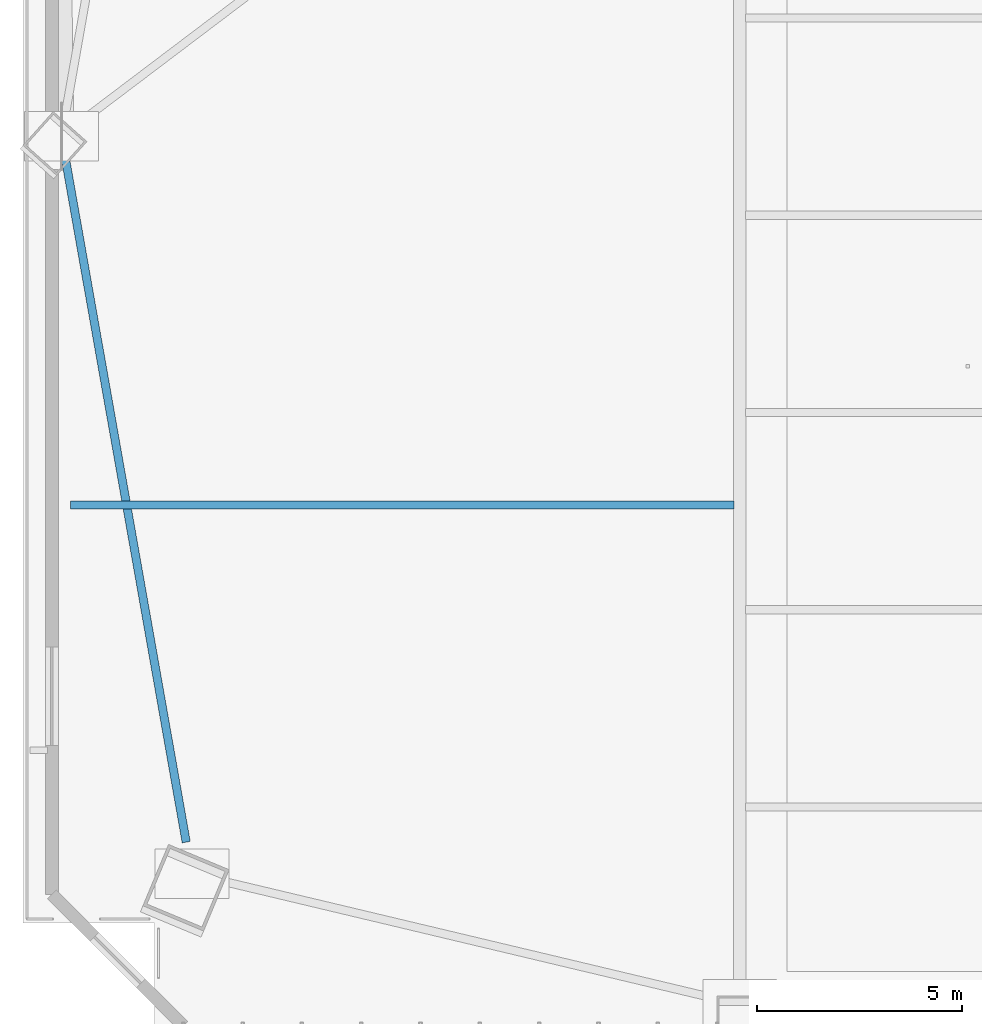
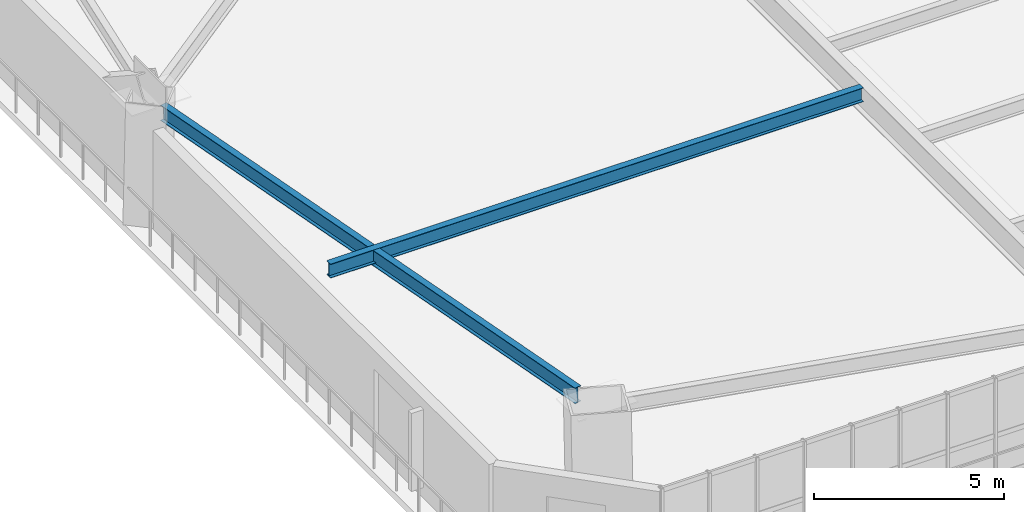
# One storey, part 3 of 17: 2 beams.
"""IFC4 building model written with IfcOpenShell, lengths in metres."""

from ifc_helpers import new_model, si_unit, direction, frame, origin, origin_2d, place, context, subcontext, project, spatial, i_section, extrude, source, transform, mapped, material, material_profile, profile_set, type_object, element, save


model = new_model("IFC4")

# Units and contexts
model_context = context("Model", 3, precision=1e-05, world=origin(), true_north=direction((0.0, 1.0)))
body_context = subcontext(model_context, "Body", "Model", "MODEL_VIEW")
ifc_project = project(units=[si_unit("LENGTHUNIT", "METRE"), si_unit("AREAUNIT", "SQUARE_METRE"), si_unit("VOLUMEUNIT", "CUBIC_METRE"), si_unit("PLANEANGLEUNIT", "RADIAN"), si_unit("MASSUNIT", "GRAM", prefix="KILO")], contexts=[model_context])

# Site, building, storey
site_placement = place(None, origin())
site = spatial("IfcSite", under=ifc_project, at=site_placement, CompositionType="ELEMENT")
building_placement = place(site_placement, origin())
building = spatial("IfcBuilding", under=site, at=building_placement, Name="Giltprow Tower", CompositionType="ELEMENT")
storey_placement = place(building_placement, frame((0.0, 0.0, 33.199951171875)))
storey = spatial("IfcBuildingStorey", under=building, at=storey_placement, Name="L08", CompositionType="ELEMENT", Elevation=33.199951171875)

# Beams
ifc_material = material(Name="Structural steel Q355B", Category="steel")
ifc_material_profile_1 = material_profile(ifc_material, i_section(OverallWidth=0.199951171875, OverallDepth=0.5, WebThickness=0.010009765625, FlangeThickness=0.01611328125, at=origin_2d()), Name="HN 500x200x10x16")
ifc_profile_set_1 = profile_set([ifc_material_profile_1], Name="Structural steel Q355B")
beam_type_1 = type_object("IfcBeamType", Name="BM-SPAN-HN500", PredefinedType="SPANDREL", material=ifc_profile_set_1)
shared_shape_1 = source(origin(), body_context, "Body", "SweptSolid", [
    extrude(i_section(OverallWidth=0.199951171875, OverallDepth=0.5, WebThickness=0.010009765625, FlangeThickness=0.01611328125, at=origin_2d()), origin(), (0.0, 0.0, 1.0), 16.920166015625),
])
beam_1_placement = place(storey_placement, frame((3.427978515625, 24.43603515625, 3.429931640625), z_axis=(0.173998519763, -0.98474591399, 0.0), x_axis=(0.98474591399, 0.173998519763, 0.0)))
element("IfcBeam", 1, at=beam_1_placement, inside=storey, type_object=beam_type_1, Name="L08 Perimeter Spandrel Beam W_MID-MC_SW", PredefinedType="SPANDREL", context=body_context, shape_type="MappedRepresentation", body=[
    mapped(shared_shape_1, transform((0.0, 0.0, 0.0), x_axis=(1.0, 0.0, 0.0), y_axis=(0.0, 1.0, 0.0), z_axis=(0.0, 0.0, 1.0), scale=1.0)),
])
ifc_material_profile_2 = material_profile(ifc_material, i_section(OverallWidth=0.199951171875, OverallDepth=0.449951171875, WebThickness=0.009033203125, FlangeThickness=0.013916015625, at=origin_2d()), Name="HN 450x200x9x14")
ifc_profile_set_2 = profile_set([ifc_material_profile_2], Name="Structural steel Q355B")
beam_type_2 = type_object("IfcBeamType", Name="BM-JOIST-HN450", PredefinedType="JOIST", material=ifc_profile_set_2)
shared_shape_2 = source(origin(), body_context, "Body", "SweptSolid", [
    extrude(i_section(OverallWidth=0.199951171875, OverallDepth=0.449951171875, WebThickness=0.009033203125, FlangeThickness=0.013916015625, at=origin_2d()), origin(), (0.0, 0.0, 1.0), 16.150146484375),
])
beam_2_placement = place(storey_placement, frame((3.554931640625, 15.98193359375, 3.455078125), z_axis=(1.0, 0.0, 0.0), x_axis=(0.0, 1.0, 0.0)))
element("IfcBeam", 2, at=beam_2_placement, inside=storey, type_object=beam_type_2, Name="L08 West Wing Floor Joist 1", PredefinedType="JOIST", context=body_context, shape_type="MappedRepresentation", body=[
    mapped(shared_shape_2, transform((0.0, 0.0, 0.0), x_axis=(1.0, 0.0, 0.0), y_axis=(0.0, 1.0, 0.0), z_axis=(0.0, 0.0, 1.0), scale=1.0)),
])

save(model, "model.ifc")
